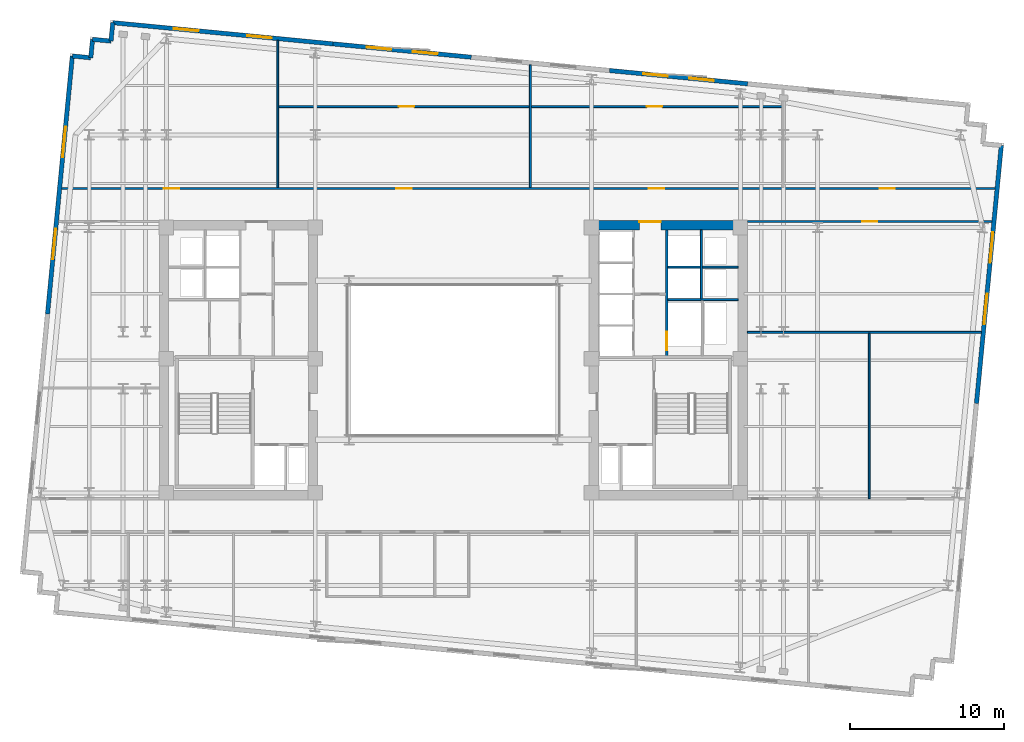
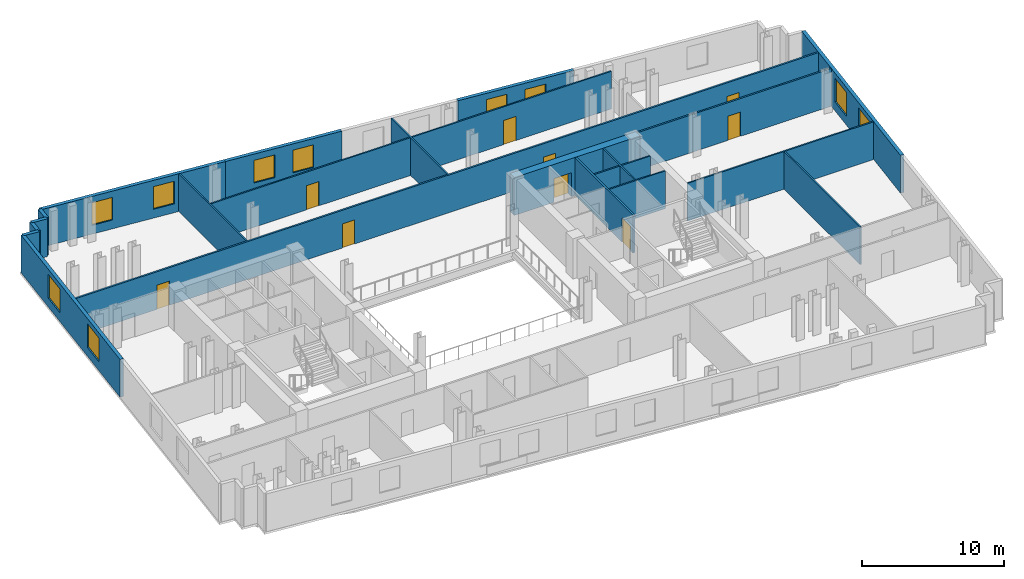
# One storey, part 6 of 9: 22 walls, 10 windows, 9 doors, 19 openings.
"""IFC4 building model written with IfcOpenShell, lengths in metres."""

from ifc_helpers import new_model, si_unit, direction, frame, frame_2d, origin, place, context, subcontext, project, spatial, rectangle, extrude, material, layer, layer_set, type_object, element, fill, save


model = new_model("IFC4")

# Units and contexts
model_context = context("Model", 3, precision=1e-05, world=origin(), true_north=direction((0.0, 1.0)))
body_context = subcontext(model_context, "Body", "Model", "MODEL_VIEW")
ifc_project = project(units=[si_unit("LENGTHUNIT", "METRE"), si_unit("AREAUNIT", "SQUARE_METRE"), si_unit("VOLUMEUNIT", "CUBIC_METRE"), si_unit("PLANEANGLEUNIT", "RADIAN"), si_unit("MASSUNIT", "GRAM", prefix="KILO")], contexts=[model_context])

# Site, building, storey
site_placement = place(None, origin())
site = spatial("IfcSite", under=ifc_project, at=site_placement, CompositionType="ELEMENT")
building_placement = place(site_placement, origin())
building = spatial("IfcBuilding", under=site, at=building_placement, Name="Velakula Bourse", CompositionType="ELEMENT")
storey_placement = place(building_placement, frame((0.0, 0.0, 181.10009765625)))
storey = spatial("IfcBuildingStorey", under=building, at=storey_placement, Name="L49", CompositionType="ELEMENT", Elevation=181.10009765625)

# Wall, opening, door
ifc_material_1 = material(Name="Concrete M70 (fck 70 MPa)", Category="concrete")
ifc_layer_1 = layer(ifc_material_1, 0.60009765625, Name="Concrete M70 (fck 70 MPa)", Category="concrete")
ifc_layer_set_1 = layer_set([ifc_layer_1], Name="Concrete M70 (fck 70 MPa)")
wall_type_1 = type_object("IfcWallType", Name="WL-CORE-600", PredefinedType="SHEAR", material=ifc_layer_set_1)
wall_1_placement = place(storey_placement, frame((8.800048828125, 8.75, 0.0), z_axis=(0.0, 0.0, 1.0), x_axis=(1.0, 0.0, 0.0)))
wall_1 = element("IfcWall", 1, at=wall_1_placement, inside=storey, type_object=wall_type_1, Name="L49 Core E Shear Wall N", PredefinedType="SHEAR", context=body_context, shape_type="SweptSolid", body=[
    extrude(rectangle(XDim=10.25, YDim=0.60009765625, at=frame_2d((5.125, 0.0))), origin(), (0.0, 0.0, 1.0), 3.27001953125),
])
opening_1_placement = place(wall_1_placement, frame((3.25, 0.0, 0.0)))
opening_1 = element("IfcOpeningElement", 2, at=opening_1_placement, cuts=wall_1, Name="Opening D-LLE", PredefinedType="OPENING", context=body_context, shape_type="SweptSolid", body=[
    extrude(rectangle(XDim=1.39990234375, YDim=2.050048828125, at=frame_2d((0.699951171875, 1.02490234375))), frame((0.0, 0.31005859375, 0.0), z_axis=(0.0, -1.0, 0.0), x_axis=(1.0, 0.0, 0.0)), (0.0, 0.0, 1.0), 0.6201171875),
])
ifc_material_2 = material(Name="Fire-rated hardwood flush architectural door", Category="wood")
door_type_1 = type_object("IfcDoorType", Name="DR-DBL-FD60-1400", OperationType="DOUBLE_DOOR_SINGLE_SWING", PredefinedType="DOOR", material=ifc_material_2)
door_1_placement = place(opening_1_placement, origin())
door_1 = element("IfcDoor", 3, at=door_1_placement, inside=storey, type_object=door_type_1, Name="L49 Core E Lift Lobby Corridor Double Door", OperationType="DOUBLE_DOOR_SINGLE_SWING", OverallHeight=2.050048828125, OverallWidth=1.39990234375, PredefinedType="DOOR", context=body_context, shape_type="SweptSolid", body=[
    extrude(rectangle(XDim=1.39990234375, YDim=2.050048828125, at=frame_2d((0.699951171875, 1.02490234375))), frame((0.0, 0.2451171875, 0.0), z_axis=(0.0, -1.0, 0.0), x_axis=(1.0, 0.0, 0.0)), (0.0, 0.0, 1.0), 0.050048828125),
])
fill(opening_1, door_1)

# Wall, openings, windows
ifc_material_3 = material(Name="Red kilned clay facing brick masonry", Category="masonry")
ifc_layer_2 = layer(ifc_material_3, 0.280029296875, Name="Red kilned clay facing brick masonry", Category="masonry")
ifc_layer_set_2 = layer_set([ifc_layer_2], Name="Red kilned clay facing brick masonry")
wall_type_2 = type_object("IfcWallType", Name="WL-EXT-BRK-280", PredefinedType="STANDARD", material=ifc_layer_set_2)
wall_2_placement = place(storey_placement, frame((-22.072509765625, 21.8701171875, 0.0), z_axis=(0.0, 0.0, 1.0), x_axis=(0.995395606285, -0.095851901334, 0.0)))
wall_2 = element("IfcWall", 4, at=wall_2_placement, inside=storey, type_object=wall_type_2, Name="L49 N Brick Spandrel Wall B1", PredefinedType="STANDARD", context=body_context, shape_type="SweptSolid", body=[
    extrude(rectangle(XDim=14.33984375, YDim=0.280029296875, at=frame_2d((7.169921875, 0.0))), origin(), (0.0, 0.0, 1.0), 3.25),
])
opening_2_placement = place(wall_2_placement, frame((3.97998046875, 0.0, 0.760009765625)))
opening_2 = element("IfcOpeningElement", 5, at=opening_2_placement, cuts=wall_2, Name="Opening W-02", PredefinedType="OPENING", context=body_context, shape_type="SweptSolid", body=[
    extrude(rectangle(XDim=1.60009765625, YDim=1.949951171875, at=frame_2d((0.800048828125, 0.97509765625))), frame((0.0, 0.14990234375, 0.0), z_axis=(0.0, -1.0, 0.0), x_axis=(1.0, 0.0, 0.0)), (0.0, 0.0, 1.0), 0.300048828125),
])
opening_3_placement = place(wall_2_placement, frame((8.760009765625, 0.0, 0.760009765625)))
opening_3 = element("IfcOpeningElement", 6, at=opening_3_placement, cuts=wall_2, Name="Opening W-02", PredefinedType="OPENING", context=body_context, shape_type="SweptSolid", body=[
    extrude(rectangle(XDim=1.60009765625, YDim=1.949951171875, at=frame_2d((0.800048828125, 0.97509765625))), frame((0.0, 0.14990234375, 0.0), z_axis=(0.0, -1.0, 0.0), x_axis=(1.0, 0.0, 0.0)), (0.0, 0.0, 1.0), 0.300048828125),
])
ifc_material_4 = material(Name="Double-glazed solar-control Low-E glass", Category="glass")
window_type_1 = type_object("IfcWindowType", Name="WIN-TWR-1600x2100", PartitioningType="SINGLE_PANEL", PredefinedType="WINDOW", material=ifc_material_4)
window_1_placement = place(opening_2_placement, origin())
window_1 = element("IfcWindow", 7, at=window_1_placement, inside=storey, type_object=window_type_1, Name="L49 Deep-Set Recessed Window 1", OverallHeight=1.949951171875, OverallWidth=1.60009765625, PartitioningType="SINGLE_PANEL", PredefinedType="WINDOW", context=body_context, shape_type="SweptSolid", body=[
    extrude(rectangle(XDim=1.60009765625, YDim=1.949951171875, at=frame_2d((0.800048828125, 0.97509765625))), frame((0.0, 0.030029296875, 0.0), z_axis=(0.0, -1.0, 0.0), x_axis=(1.0, 0.0, 0.0)), (0.0, 0.0, 1.0), 0.06005859375),
])
fill(opening_2, window_1)
window_2_placement = place(opening_3_placement, origin())
window_2 = element("IfcWindow", 8, at=window_2_placement, inside=storey, type_object=window_type_1, Name="L49 Deep-Set Recessed Window 2", OverallHeight=1.949951171875, OverallWidth=1.60009765625, PartitioningType="SINGLE_PANEL", PredefinedType="WINDOW", context=body_context, shape_type="SweptSolid", body=[
    extrude(rectangle(XDim=1.60009765625, YDim=1.949951171875, at=frame_2d((0.800048828125, 0.97509765625))), frame((0.0, 0.030029296875, 0.0), z_axis=(0.0, -1.0, 0.0), x_axis=(1.0, 0.0, 0.0)), (0.0, 0.0, 1.0), 0.06005859375),
])
fill(opening_3, window_2)

wall_3_placement = place(storey_placement, frame((-7.798583984375, 20.49560546875, 0.0), z_axis=(0.0, 0.0, 1.0), x_axis=(0.995396794462, -0.09583956164, 0.0)))
wall_3 = element("IfcWall", 9, at=wall_3_placement, inside=storey, type_object=wall_type_2, Name="L49 N Brick Spandrel Wall B2", PredefinedType="STANDARD", context=body_context, shape_type="SweptSolid", body=[
    extrude(rectangle(XDim=9.0, YDim=0.280029296875, at=frame_2d((4.5, 0.0))), origin(), (0.0, 0.0, 1.0), 3.25),
])
opening_4_placement = place(wall_3_placement, frame((2.199951171875, 0.0, 0.760009765625)))
opening_4 = element("IfcOpeningElement", 10, at=opening_4_placement, cuts=wall_3, Name="Opening W-02", PredefinedType="OPENING", context=body_context, shape_type="SweptSolid", body=[
    extrude(rectangle(XDim=1.60009765625, YDim=1.949951171875, at=frame_2d((0.800048828125, 0.97509765625))), frame((0.0, 0.14990234375, 0.0), z_axis=(0.0, -1.0, 0.0), x_axis=(1.0, 0.0, 0.0)), (0.0, 0.0, 1.0), 0.300048828125),
])
opening_5_placement = place(wall_3_placement, frame((5.199951171875, 0.0, 0.760009765625)))
opening_5 = element("IfcOpeningElement", 11, at=opening_5_placement, cuts=wall_3, Name="Opening W-02", PredefinedType="OPENING", context=body_context, shape_type="SweptSolid", body=[
    extrude(rectangle(XDim=1.60009765625, YDim=1.949951171875, at=frame_2d((0.800048828125, 0.97509765625))), frame((0.0, 0.14990234375, 0.0), z_axis=(0.0, -1.0, 0.0), x_axis=(1.0, 0.0, 0.0)), (0.0, 0.0, 1.0), 0.300048828125),
])
window_3_placement = place(opening_4_placement, origin())
window_3 = element("IfcWindow", 12, at=window_3_placement, inside=storey, type_object=window_type_1, Name="L49 Deep-Set Recessed Window 1", OverallHeight=1.949951171875, OverallWidth=1.60009765625, PartitioningType="SINGLE_PANEL", PredefinedType="WINDOW", context=body_context, shape_type="SweptSolid", body=[
    extrude(rectangle(XDim=1.60009765625, YDim=1.949951171875, at=frame_2d((0.800048828125, 0.97509765625))), frame((0.0, 0.030029296875, 0.0), z_axis=(0.0, -1.0, 0.0), x_axis=(1.0, 0.0, 0.0)), (0.0, 0.0, 1.0), 0.06005859375),
])
fill(opening_4, window_3)
window_4_placement = place(opening_5_placement, origin())
window_4 = element("IfcWindow", 13, at=window_4_placement, inside=storey, type_object=window_type_1, Name="L49 Deep-Set Recessed Window 2", OverallHeight=1.949951171875, OverallWidth=1.60009765625, PartitioningType="SINGLE_PANEL", PredefinedType="WINDOW", context=body_context, shape_type="SweptSolid", body=[
    extrude(rectangle(XDim=1.60009765625, YDim=1.949951171875, at=frame_2d((0.800048828125, 0.97509765625))), frame((0.0, 0.030029296875, 0.0), z_axis=(0.0, -1.0, 0.0), x_axis=(1.0, 0.0, 0.0)), (0.0, 0.0, 1.0), 0.06005859375),
])
fill(opening_5, window_4)

wall_4_placement = place(storey_placement, frame((10.11865234375, 18.770263671875, 0.0), z_axis=(0.0, 0.0, 1.0), x_axis=(0.995396794462, -0.09583956164, 0.0)))
wall_4 = element("IfcWall", 14, at=wall_4_placement, inside=storey, type_object=wall_type_2, Name="L49 N Brick Spandrel Wall B4", PredefinedType="STANDARD", context=body_context, shape_type="SweptSolid", body=[
    extrude(rectangle(XDim=9.0, YDim=0.280029296875, at=frame_2d((4.5, 0.0))), origin(), (0.0, 0.0, 1.0), 3.25),
])
opening_6_placement = place(wall_4_placement, frame((2.199951171875, 0.0, 0.760009765625)))
opening_6 = element("IfcOpeningElement", 15, at=opening_6_placement, cuts=wall_4, Name="Opening W-02", PredefinedType="OPENING", context=body_context, shape_type="SweptSolid", body=[
    extrude(rectangle(XDim=1.60009765625, YDim=1.949951171875, at=frame_2d((0.800048828125, 0.97509765625))), frame((0.0, 0.14990234375, 0.0), z_axis=(0.0, -1.0, 0.0), x_axis=(1.0, 0.0, 0.0)), (0.0, 0.0, 1.0), 0.300048828125),
])
opening_7_placement = place(wall_4_placement, frame((5.199951171875, 0.0, 0.760009765625)))
opening_7 = element("IfcOpeningElement", 16, at=opening_7_placement, cuts=wall_4, Name="Opening W-02", PredefinedType="OPENING", context=body_context, shape_type="SweptSolid", body=[
    extrude(rectangle(XDim=1.60009765625, YDim=1.949951171875, at=frame_2d((0.800048828125, 0.97509765625))), frame((0.0, 0.14990234375, 0.0), z_axis=(0.0, -1.0, 0.0), x_axis=(1.0, 0.0, 0.0)), (0.0, 0.0, 1.0), 0.300048828125),
])
window_5_placement = place(opening_6_placement, origin())
window_5 = element("IfcWindow", 17, at=window_5_placement, inside=storey, type_object=window_type_1, Name="L49 Deep-Set Recessed Window 1", OverallHeight=1.949951171875, OverallWidth=1.60009765625, PartitioningType="SINGLE_PANEL", PredefinedType="WINDOW", context=body_context, shape_type="SweptSolid", body=[
    extrude(rectangle(XDim=1.60009765625, YDim=1.949951171875, at=frame_2d((0.800048828125, 0.97509765625))), frame((0.0, 0.030029296875, 0.0), z_axis=(0.0, -1.0, 0.0), x_axis=(1.0, 0.0, 0.0)), (0.0, 0.0, 1.0), 0.06005859375),
])
fill(opening_6, window_5)
window_6_placement = place(opening_7_placement, origin())
window_6 = element("IfcWindow", 18, at=window_6_placement, inside=storey, type_object=window_type_1, Name="L49 Deep-Set Recessed Window 2", OverallHeight=1.949951171875, OverallWidth=1.60009765625, PartitioningType="SINGLE_PANEL", PredefinedType="WINDOW", context=body_context, shape_type="SweptSolid", body=[
    extrude(rectangle(XDim=1.60009765625, YDim=1.949951171875, at=frame_2d((0.800048828125, 0.97509765625))), frame((0.0, 0.030029296875, 0.0), z_axis=(0.0, -1.0, 0.0), x_axis=(1.0, 0.0, 0.0)), (0.0, 0.0, 1.0), 0.06005859375),
])
fill(opening_7, window_6)

wall_5_placement = place(storey_placement, frame((-26.30078125, 2.998291015625, 0.0), z_axis=(0.0, 0.0, 1.0), x_axis=(0.095837640115, 0.99539697947, 0.0)))
wall_5 = element("IfcWall", 19, at=wall_5_placement, inside=storey, type_object=wall_type_2, Name="L49 W Brick End Wall W2", PredefinedType="STANDARD", context=body_context, shape_type="SweptSolid", body=[
    extrude(rectangle(XDim=16.790283203125, YDim=0.280029296875, at=frame_2d((8.39501953125, 0.0))), origin(), (0.0, 0.0, 1.0), 3.25),
])
opening_8_placement = place(wall_5_placement, frame((3.546630859375, 0.0, 0.760009765625)))
opening_8 = element("IfcOpeningElement", 20, at=opening_8_placement, cuts=wall_5, Name="Opening W-05", PredefinedType="OPENING", context=body_context, shape_type="SweptSolid", body=[
    extrude(rectangle(XDim=2.0, YDim=2.050048828125, at=frame_2d((1.0, 1.02490234375))), frame((0.0, 0.14990234375, 0.0), z_axis=(0.0, -1.0, 0.0), x_axis=(1.0, 0.0, 0.0)), (0.0, 0.0, 1.0), 0.300048828125),
])
opening_9_placement = place(wall_5_placement, frame((10.193359375, 0.0, 0.760009765625)))
opening_9 = element("IfcOpeningElement", 21, at=opening_9_placement, cuts=wall_5, Name="Opening W-05", PredefinedType="OPENING", context=body_context, shape_type="SweptSolid", body=[
    extrude(rectangle(XDim=2.0, YDim=2.050048828125, at=frame_2d((1.0, 1.02490234375))), frame((0.0, 0.14990234375, 0.0), z_axis=(0.0, -1.0, 0.0), x_axis=(1.0, 0.0, 0.0)), (0.0, 0.0, 1.0), 0.300048828125),
])
window_type_2 = type_object("IfcWindowType", Name="WIN-TWR-2000x2200", PartitioningType="DOUBLE_PANEL_VERTICAL", PredefinedType="WINDOW", material=ifc_material_4)
window_7_placement = place(opening_8_placement, origin())
window_7 = element("IfcWindow", 22, at=window_7_placement, inside=storey, type_object=window_type_2, Name="L49 Deep-Set Recessed Window 1", OverallHeight=2.050048828125, OverallWidth=2.0, PartitioningType="DOUBLE_PANEL_VERTICAL", PredefinedType="WINDOW", context=body_context, shape_type="SweptSolid", body=[
    extrude(rectangle(XDim=2.0, YDim=2.050048828125, at=frame_2d((1.0, 1.02490234375))), frame((0.0, 0.030029296875, 0.0), z_axis=(0.0, -1.0, 0.0), x_axis=(1.0, 0.0, 0.0)), (0.0, 0.0, 1.0), 0.06005859375),
])
fill(opening_8, window_7)
window_8_placement = place(opening_9_placement, origin())
window_8 = element("IfcWindow", 23, at=window_8_placement, inside=storey, type_object=window_type_2, Name="L49 Deep-Set Recessed Window 2", OverallHeight=2.050048828125, OverallWidth=2.0, PartitioningType="DOUBLE_PANEL_VERTICAL", PredefinedType="WINDOW", context=body_context, shape_type="SweptSolid", body=[
    extrude(rectangle(XDim=2.0, YDim=2.050048828125, at=frame_2d((1.0, 1.02490234375))), frame((0.0, 0.030029296875, 0.0), z_axis=(0.0, -1.0, 0.0), x_axis=(1.0, 0.0, 0.0)), (0.0, 0.0, 1.0), 0.06005859375),
])
fill(opening_9, window_8)

wall_6_placement = place(storey_placement, frame((35.510009765625, 13.914306640625, 0.0), z_axis=(0.0, 0.0, 1.0), x_axis=(-0.095839027265, -0.995396845913, 0.0)))
wall_6 = element("IfcWall", 24, at=wall_6_placement, inside=storey, type_object=wall_type_2, Name="L49 E Brick End Wall W2", PredefinedType="STANDARD", context=body_context, shape_type="SweptSolid", body=[
    extrude(rectangle(XDim=16.7900390625, YDim=0.280029296875, at=frame_2d((8.39501953125, 0.0))), origin(), (0.0, 0.0, 1.0), 3.25),
])
opening_10_placement = place(wall_6_placement, frame((5.646728515625, 0.0, 0.760009765625)))
opening_10 = element("IfcOpeningElement", 25, at=opening_10_placement, cuts=wall_6, Name="Opening W-05", PredefinedType="OPENING", context=body_context, shape_type="SweptSolid", body=[
    extrude(rectangle(XDim=2.0, YDim=2.050048828125, at=frame_2d((1.0, 1.02490234375))), frame((0.0, 0.14990234375, 0.0), z_axis=(0.0, -1.0, 0.0), x_axis=(1.0, 0.0, 0.0)), (0.0, 0.0, 1.0), 0.300048828125),
])
opening_11_placement = place(wall_6_placement, frame((9.643310546875, 0.0, 0.760009765625)))
opening_11 = element("IfcOpeningElement", 26, at=opening_11_placement, cuts=wall_6, Name="Opening W-05", PredefinedType="OPENING", context=body_context, shape_type="SweptSolid", body=[
    extrude(rectangle(XDim=2.0, YDim=2.050048828125, at=frame_2d((1.0, 1.02490234375))), frame((0.0, 0.14990234375, 0.0), z_axis=(0.0, -1.0, 0.0), x_axis=(1.0, 0.0, 0.0)), (0.0, 0.0, 1.0), 0.300048828125),
])
window_9_placement = place(opening_10_placement, origin())
window_9 = element("IfcWindow", 27, at=window_9_placement, inside=storey, type_object=window_type_2, Name="L49 Deep-Set Recessed Window 1", OverallHeight=2.050048828125, OverallWidth=2.0, PartitioningType="DOUBLE_PANEL_VERTICAL", PredefinedType="WINDOW", context=body_context, shape_type="SweptSolid", body=[
    extrude(rectangle(XDim=2.0, YDim=2.050048828125, at=frame_2d((1.0, 1.02490234375))), frame((0.0, 0.030029296875, 0.0), z_axis=(0.0, -1.0, 0.0), x_axis=(1.0, 0.0, 0.0)), (0.0, 0.0, 1.0), 0.06005859375),
])
fill(opening_10, window_9)
window_10_placement = place(opening_11_placement, origin())
window_10 = element("IfcWindow", 28, at=window_10_placement, inside=storey, type_object=window_type_2, Name="L49 Deep-Set Recessed Window 2", OverallHeight=2.050048828125, OverallWidth=2.0, PartitioningType="DOUBLE_PANEL_VERTICAL", PredefinedType="WINDOW", context=body_context, shape_type="SweptSolid", body=[
    extrude(rectangle(XDim=2.0, YDim=2.050048828125, at=frame_2d((1.0, 1.02490234375))), frame((0.0, 0.030029296875, 0.0), z_axis=(0.0, -1.0, 0.0), x_axis=(1.0, 0.0, 0.0)), (0.0, 0.0, 1.0), 0.06005859375),
])
fill(opening_11, window_10)

# Walls
for number, where, z_axis, x_axis, name in (
    (29, (-22.072509765625, 21.8701171875, 0.0), (0.0, 0.0, 1.0), (-0.095817067274, -0.995398960025, 0.0), "L49 Serrated Corner Brick Wall NW-1"),
    (30, (-22.1875, 20.675537109375, 0.0), (0.0, 0.0, 1.0), (-0.995398960025, 0.095817067274, 0.0), "L49 Serrated Corner Brick Wall NW-2"),
    (31, (-23.382080078125, 20.79052734375, 0.0), (0.0, 0.0, 1.0), (-0.095817067274, -0.995398960025, 0.0), "L49 Serrated Corner Brick Wall NW-3"),
    (32, (-23.4970703125, 19.595947265625, 0.0), (0.0, 0.0, 1.0), (-0.995379537303, 0.096018626938, 0.0), "L49 Serrated Corner Brick Wall NW-4"),
):
    element("IfcWall", number, at=place(storey_placement, frame(where, z_axis=z_axis, x_axis=x_axis)), inside=storey, type_object=wall_type_2, Name=name, PredefinedType="STANDARD", context=body_context, shape_type="SweptSolid", body=[
        extrude(rectangle(XDim=1.2001953125, YDim=0.280029296875, at=frame_2d((0.60009765625, 0.0))), origin(), (0.0, 0.0, 1.0), 3.25),
    ])
ifc_material_5 = material(Name="Fire-rated double-layer gypsum drywall partition", Category="gypsum")
ifc_layer_3 = layer(ifc_material_5, 0.1201171875, Name="Fire-rated double-layer gypsum drywall partition", Category="gypsum")
ifc_layer_set_3 = layer_set([ifc_layer_3], Name="Fire-rated double-layer gypsum drywall partition")
wall_type_3 = type_object("IfcWallType", Name="WL-PART-120", PredefinedType="STANDARD", material=ifc_layer_set_3)
wall_7_placement = place(storey_placement, frame((13.89990234375, 3.919921875, 0.0), z_axis=(0.0, 0.0, 1.0), x_axis=(1.0, 0.0, 0.0)))
element("IfcWall", 33, at=wall_7_placement, inside=storey, type_object=wall_type_3, Name="L49 Interior Partition WL-CRE-L49-HI-S", PredefinedType="STANDARD", context=body_context, shape_type="SweptSolid", body=[
    extrude(rectangle(XDim=4.550048828125, YDim=0.1201171875, at=frame_2d((2.27490234375, 0.0))), origin(), (0.0, 0.0, 1.0), 3.25),
])
wall_8_placement = place(storey_placement, frame((16.14990234375, 6.030029296875, 0.0), z_axis=(0.0, 0.0, 1.0), x_axis=(1.0, 0.0, 0.0)))
element("IfcWall", 34, at=wall_8_placement, inside=storey, type_object=wall_type_3, Name="L49 Interior Partition WL-CRE-L49-RIS-MID", PredefinedType="STANDARD", context=body_context, shape_type="SweptSolid", body=[
    extrude(rectangle(XDim=2.300048828125, YDim=0.1201171875, at=frame_2d((1.14990234375, 0.0))), origin(), (0.0, 0.0, 1.0), 3.25),
])
wall_9_placement = place(storey_placement, frame((16.074951171875, 3.97998046875, 0.0), z_axis=(0.0, 0.0, 1.0), x_axis=(0.0, 1.0, 0.0)))
element("IfcWall", 35, at=wall_9_placement, inside=storey, type_object=wall_type_3, Name="L49 Interior Partition WL-CRE-L49-RIS-F", PredefinedType="STANDARD", context=body_context, shape_type="SweptSolid", body=[
    extrude(rectangle(XDim=4.469970703125, YDim=0.1201171875, at=frame_2d((2.23486328125, 0.0))), origin(), (0.0, 0.0, 1.0), 3.25),
])
wall_10_placement = place(storey_placement, frame((13.89990234375, 6.030029296875, 0.0), z_axis=(0.0, 0.0, 1.0), x_axis=(1.0, 0.0, 0.0)))
element("IfcWall", 36, at=wall_10_placement, inside=storey, type_object=wall_type_3, Name="L49 Interior Partition WL-CRE-L49-HI-DIV", PredefinedType="STANDARD", context=body_context, shape_type="SweptSolid", body=[
    extrude(rectangle(XDim=2.10009765625, YDim=0.1201171875, at=frame_2d((1.050048828125, 0.0))), origin(), (0.0, 0.0, 1.0), 3.25),
])
wall_11_placement = place(storey_placement, frame((-11.383056640625, 11.18994140625, 0.0), z_axis=(0.0, 0.0, 1.0), x_axis=(0.0, 1.0, 0.0)))
element("IfcWall", 37, at=wall_11_placement, inside=storey, type_object=wall_type_3, Name="L49 Interior Partition WL-INT-L49-N-D1", PredefinedType="STANDARD", context=body_context, shape_type="SweptSolid", body=[
    extrude(rectangle(XDim=9.5302734375, YDim=0.1201171875, at=frame_2d((4.76513671875, 0.0))), origin(), (0.0, 0.0, 1.0), 3.25),
])
wall_12_placement = place(storey_placement, frame((4.990966796875, 11.18994140625, 0.0), z_axis=(0.0, 0.0, 1.0), x_axis=(0.0, 1.0, 0.0)))
element("IfcWall", 38, at=wall_12_placement, inside=storey, type_object=wall_type_3, Name="L49 Interior Partition WL-INT-L49-N-D2", PredefinedType="STANDARD", context=body_context, shape_type="SweptSolid", body=[
    extrude(rectangle(XDim=7.95361328125, YDim=0.1201171875, at=frame_2d((3.976806640625, 0.0))), origin(), (0.0, 0.0, 1.0), 3.25),
])

# Wall, openings, doors
wall_13_placement = place(storey_placement, frame((-11.322998046875, 16.431884765625, 0.0), z_axis=(0.0, 0.0, 1.0), x_axis=(1.0, 0.0, 0.0)))
wall_13 = element("IfcWall", 39, at=wall_13_placement, inside=storey, type_object=wall_type_3, Name="L49 Interior Partition WL-INT-L49-N-MID", PredefinedType="STANDARD", context=body_context, shape_type="SweptSolid", body=[
    extrude(rectangle(XDim=32.6279296875, YDim=0.1201171875, at=frame_2d((16.31396484375, 0.0))), origin(), (0.0, 0.0, 1.0), 3.25),
])
opening_12_placement = place(wall_13_placement, frame((7.7841796875, 0.0, 0.0)))
opening_12 = element("IfcOpeningElement", 40, at=opening_12_placement, cuts=wall_13, Name="Opening D-OF1", PredefinedType="OPENING", context=body_context, shape_type="SweptSolid", body=[
    extrude(rectangle(XDim=1.0, YDim=2.080078125, at=frame_2d((0.5, 1.0400390625))), frame((0.0, 0.070068359375, 0.0), z_axis=(0.0, -1.0, 0.0), x_axis=(1.0, 0.0, 0.0)), (0.0, 0.0, 1.0), 0.14013671875),
])
opening_13_placement = place(wall_13_placement, frame((23.843994140625, 0.0, 0.0)))
opening_13 = element("IfcOpeningElement", 41, at=opening_13_placement, cuts=wall_13, Name="Opening D-OF1", PredefinedType="OPENING", context=body_context, shape_type="SweptSolid", body=[
    extrude(rectangle(XDim=1.0, YDim=2.080078125, at=frame_2d((0.5, 1.0400390625))), frame((0.0, 0.070068359375, 0.0), z_axis=(0.0, -1.0, 0.0), x_axis=(1.0, 0.0, 0.0)), (0.0, 0.0, 1.0), 0.14013671875),
])
door_type_2 = type_object("IfcDoorType", Name="DR-OFF-1000", OperationType="NOTDEFINED", PredefinedType="DOOR", material=ifc_material_2)
door_2_placement = place(opening_12_placement, origin())
door_2 = element("IfcDoor", 42, at=door_2_placement, inside=storey, type_object=door_type_2, Name="L49 Risk Review Boardroom Door", OperationType="SINGLE_SWING_LEFT", OverallHeight=2.080078125, OverallWidth=1.0, PredefinedType="DOOR", context=body_context, shape_type="SweptSolid", body=[
    extrude(rectangle(XDim=1.0, YDim=2.080078125, at=frame_2d((0.5, 1.0400390625))), frame((0.0, 0.02490234375, 0.0), z_axis=(0.0, -1.0, 0.0), x_axis=(1.0, 0.0, 0.0)), (0.0, 0.0, 1.0), 0.050048828125),
])
fill(opening_12, door_2)
door_3_placement = place(opening_13_placement, origin())
door_3 = element("IfcDoor", 43, at=door_3_placement, inside=storey, type_object=door_type_2, Name="L49 Catering Servery Pantry Door", OperationType="SINGLE_SWING_LEFT", OverallHeight=2.080078125, OverallWidth=1.0, PredefinedType="DOOR", context=body_context, shape_type="SweptSolid", body=[
    extrude(rectangle(XDim=1.0, YDim=2.080078125, at=frame_2d((0.5, 1.0400390625))), frame((0.0, 0.02490234375, 0.0), z_axis=(0.0, -1.0, 0.0), x_axis=(1.0, 0.0, 0.0)), (0.0, 0.0, 1.0), 0.050048828125),
])
fill(opening_13, door_3)

# Walls
wall_14_placement = place(storey_placement, frame((19.050048828125, 1.800048828125, 0.0), z_axis=(0.0, 0.0, 1.0), x_axis=(1.0, 0.0, 0.0)))
element("IfcWall", 44, at=wall_14_placement, inside=storey, type_object=wall_type_3, Name="L49 Interior Partition WL-INT-L49-E-H", PredefinedType="STANDARD", context=body_context, shape_type="SweptSolid", body=[
    extrude(rectangle(XDim=15.1728515625, YDim=0.1201171875, at=frame_2d((7.58642578125, 0.0))), origin(), (0.0, 0.0, 1.0), 3.25),
])
wall_15_placement = place(storey_placement, frame((26.951904296875, -8.97998046875, 0.0), z_axis=(0.0, 0.0, 1.0), x_axis=(0.0, 1.0, 0.0)))
element("IfcWall", 45, at=wall_15_placement, inside=storey, type_object=wall_type_3, Name="L49 Interior Partition WL-INT-L49-E-VS", PredefinedType="STANDARD", context=body_context, shape_type="SweptSolid", body=[
    extrude(rectangle(XDim=10.719970703125, YDim=0.1201171875, at=frame_2d((5.35986328125, 0.0))), origin(), (0.0, 0.0, 1.0), 3.25),
])

# Wall, openings, doors
ifc_layer_4 = layer(ifc_material_5, 0.139892578125, Name="Fire-rated double-layer gypsum drywall partition", Category="gypsum")
ifc_layer_set_4 = layer_set([ifc_layer_4], Name="Fire-rated double-layer gypsum drywall partition")
wall_type_4 = type_object("IfcWallType", Name="WL-PART-140", PredefinedType="STANDARD", material=ifc_layer_set_4)
wall_16_placement = place(storey_placement, frame((-25.398193359375, 11.1201171875, 0.0), z_axis=(0.0, 0.0, 1.0), x_axis=(1.0, 0.0, 0.0)))
wall_16 = element("IfcWall", 46, at=wall_16_placement, inside=storey, type_object=wall_type_4, Name="L49 Interior Partition WL-INT-L49-N-CORR", PredefinedType="STANDARD", context=body_context, shape_type="SweptSolid", body=[
    extrude(rectangle(XDim=60.5185546875, YDim=0.139892578125, at=frame_2d((30.25927734375, 0.0))), origin(), (0.0, 0.0, 1.0), 3.25),
])
opening_14_placement = place(wall_16_placement, frame((6.633544921875, 0.0, 0.0)))
opening_14 = element("IfcOpeningElement", 47, at=opening_14_placement, cuts=wall_16, Name="Opening D-OF1", PredefinedType="OPENING", context=body_context, shape_type="SweptSolid", body=[
    extrude(rectangle(XDim=1.0, YDim=2.080078125, at=frame_2d((0.5, 1.0400390625))), frame((0.0, 0.079833984375, 0.0), z_axis=(0.0, -1.0, 0.0), x_axis=(1.0, 0.0, 0.0)), (0.0, 0.0, 1.0), 0.159912109375),
])
opening_15_placement = place(wall_16_placement, frame((21.7021484375, 0.0, 0.0)))
opening_15 = element("IfcOpeningElement", 48, at=opening_15_placement, cuts=wall_16, Name="Opening D-OF1", PredefinedType="OPENING", context=body_context, shape_type="SweptSolid", body=[
    extrude(rectangle(XDim=1.0, YDim=2.080078125, at=frame_2d((0.5, 1.0400390625))), frame((0.0, 0.079833984375, 0.0), z_axis=(0.0, -1.0, 0.0), x_axis=(1.0, 0.0, 0.0)), (0.0, 0.0, 1.0), 0.159912109375),
])
opening_16_placement = place(wall_16_placement, frame((38.076171875, 0.0, 0.0)))
opening_16 = element("IfcOpeningElement", 49, at=opening_16_placement, cuts=wall_16, Name="Opening D-OF1", PredefinedType="OPENING", context=body_context, shape_type="SweptSolid", body=[
    extrude(rectangle(XDim=1.0, YDim=2.080078125, at=frame_2d((0.5, 1.0400390625))), frame((0.0, 0.079833984375, 0.0), z_axis=(0.0, -1.0, 0.0), x_axis=(1.0, 0.0, 0.0)), (0.0, 0.0, 1.0), 0.159912109375),
])
opening_17_placement = place(wall_16_placement, frame((53.014892578125, 0.0, 0.0)))
opening_17 = element("IfcOpeningElement", 50, at=opening_17_placement, cuts=wall_16, Name="Opening D-OF1", PredefinedType="OPENING", context=body_context, shape_type="SweptSolid", body=[
    extrude(rectangle(XDim=1.0, YDim=2.080078125, at=frame_2d((0.5, 1.0400390625))), frame((0.0, 0.079833984375, 0.0), z_axis=(0.0, -1.0, 0.0), x_axis=(1.0, 0.0, 0.0)), (0.0, 0.0, 1.0), 0.159912109375),
])
door_4_placement = place(opening_14_placement, origin())
door_4 = element("IfcDoor", 51, at=door_4_placement, inside=storey, type_object=door_type_2, Name="L49 FX Spot Dealing Workspace Door", OperationType="SINGLE_SWING_LEFT", OverallHeight=2.080078125, OverallWidth=1.0, PredefinedType="DOOR", context=body_context, shape_type="SweptSolid", body=[
    extrude(rectangle(XDim=1.0, YDim=2.080078125, at=frame_2d((0.5, 1.0400390625))), frame((0.0, 0.02490234375, 0.0), z_axis=(0.0, -1.0, 0.0), x_axis=(1.0, 0.0, 0.0)), (0.0, 0.0, 1.0), 0.050048828125),
])
fill(opening_14, door_4)
door_5_placement = place(opening_15_placement, origin())
door_5 = element("IfcDoor", 52, at=door_5_placement, inside=storey, type_object=door_type_2, Name="L49 Risk Review Boardroom Door", OperationType="SINGLE_SWING_RIGHT", OverallHeight=2.080078125, OverallWidth=1.0, PredefinedType="DOOR", context=body_context, shape_type="SweptSolid", body=[
    extrude(rectangle(XDim=1.0, YDim=2.080078125, at=frame_2d((0.5, 1.0400390625))), frame((0.0, 0.02490234375, 0.0), z_axis=(0.0, -1.0, 0.0), x_axis=(1.0, 0.0, 0.0)), (0.0, 0.0, 1.0), 0.050048828125),
])
fill(opening_15, door_5)
door_6_placement = place(opening_16_placement, origin())
door_6 = element("IfcDoor", 53, at=door_6_placement, inside=storey, type_object=door_type_2, Name="L49 Listing Committee Chamber Door", OperationType="SINGLE_SWING_RIGHT", OverallHeight=2.080078125, OverallWidth=1.0, PredefinedType="DOOR", context=body_context, shape_type="SweptSolid", body=[
    extrude(rectangle(XDim=1.0, YDim=2.080078125, at=frame_2d((0.5, 1.0400390625))), frame((0.0, 0.02490234375, 0.0), z_axis=(0.0, -1.0, 0.0), x_axis=(1.0, 0.0, 0.0)), (0.0, 0.0, 1.0), 0.050048828125),
])
fill(opening_16, door_6)
door_7_placement = place(opening_17_placement, origin())
door_7 = element("IfcDoor", 54, at=door_7_placement, inside=storey, type_object=door_type_2, Name="L49 Economic Reference Library Door", OperationType="SINGLE_SWING_RIGHT", OverallHeight=2.080078125, OverallWidth=1.0, PredefinedType="DOOR", context=body_context, shape_type="SweptSolid", body=[
    extrude(rectangle(XDim=1.0, YDim=2.080078125, at=frame_2d((0.5, 1.0400390625))), frame((0.0, 0.02490234375, 0.0), z_axis=(0.0, -1.0, 0.0), x_axis=(1.0, 0.0, 0.0)), (0.0, 0.0, 1.0), 0.050048828125),
])
fill(opening_17, door_7)

# Wall, opening, door
wall_17_placement = place(storey_placement, frame((19.050048828125, 8.97998046875, 0.0), z_axis=(0.0, 0.0, 1.0), x_axis=(1.0, 0.0, 0.0)))
wall_17 = element("IfcWall", 55, at=wall_17_placement, inside=storey, type_object=wall_type_4, Name="L49 Interior Partition WL-INT-L49-E-NC", PredefinedType="STANDARD", context=body_context, shape_type="SweptSolid", body=[
    extrude(rectangle(XDim=15.8642578125, YDim=0.139892578125, at=frame_2d((7.93212890625, 0.0))), origin(), (0.0, 0.0, 1.0), 3.25),
])
opening_18_placement = place(wall_17_placement, frame((7.43212890625, 0.0, 0.0)))
opening_18 = element("IfcOpeningElement", 56, at=opening_18_placement, cuts=wall_17, Name="Opening D-OF1", PredefinedType="OPENING", context=body_context, shape_type="SweptSolid", body=[
    extrude(rectangle(XDim=1.0, YDim=2.080078125, at=frame_2d((0.5, 1.0400390625))), frame((0.0, 0.079833984375, 0.0), z_axis=(0.0, -1.0, 0.0), x_axis=(1.0, 0.0, 0.0)), (0.0, 0.0, 1.0), 0.159912109375),
])
door_8_placement = place(opening_18_placement, origin())
door_8 = element("IfcDoor", 57, at=door_8_placement, inside=storey, type_object=door_type_2, Name="L49 Primary Dealer Office Door", OperationType="SINGLE_SWING_RIGHT", OverallHeight=2.080078125, OverallWidth=1.0, PredefinedType="DOOR", context=body_context, shape_type="SweptSolid", body=[
    extrude(rectangle(XDim=1.0, YDim=2.080078125, at=frame_2d((0.5, 1.0400390625))), frame((0.0, 0.02490234375, 0.0), z_axis=(0.0, -1.0, 0.0), x_axis=(1.0, 0.0, 0.0)), (0.0, 0.0, 1.0), 0.050048828125),
])
fill(opening_18, door_8)

ifc_material_6 = material(Name="Autoclaved aerated concrete blockwork masonry", Category="masonry")
ifc_layer_5 = layer(ifc_material_6, 0.14990234375, Name="Autoclaved aerated concrete blockwork masonry", Category="masonry")
ifc_layer_set_5 = layer_set([ifc_layer_5], Name="Autoclaved aerated concrete blockwork masonry")
wall_type_5 = type_object("IfcWallType", Name="WL-SHAFT-150", PredefinedType="STANDARD", material=ifc_layer_set_5)
wall_18_placement = place(storey_placement, frame((13.824951171875, 0.27001953125, 0.0), z_axis=(0.0, 0.0, 1.0), x_axis=(0.0, 1.0, 0.0)))
wall_18 = element("IfcWall", 58, at=wall_18_placement, inside=storey, type_object=wall_type_5, Name="L49 Interior Partition WL-CRE-L49-OUT-F", PredefinedType="STANDARD", context=body_context, shape_type="SweptSolid", body=[
    extrude(rectangle(XDim=8.179931640625, YDim=0.14990234375, at=frame_2d((4.08984375, 0.0))), origin(), (0.0, 0.0, 1.0), 3.25),
])
opening_19_placement = place(wall_18_placement, frame((0.3798828125, 0.0, 0.0)))
opening_19 = element("IfcOpeningElement", 59, at=opening_19_placement, cuts=wall_18, Name="Opening LD-SVL1", PredefinedType="OPENING", context=body_context, shape_type="SweptSolid", body=[
    extrude(rectangle(XDim=1.199951171875, YDim=2.10009765625, at=frame_2d((0.60009765625, 1.050048828125))), frame((0.0, 0.0849609375, 0.0), z_axis=(0.0, -1.0, 0.0), x_axis=(1.0, 0.0, 0.0)), (0.0, 0.0, 1.0), 0.169921875),
])
ifc_material_7 = material(Name="Brushed grade 316 stainless steel", Category="steel")
door_type_3 = type_object("IfcDoorType", Name="DR-SLIDE-LD-1200", OperationType="DOUBLE_DOOR_SLIDING", PredefinedType="DOOR", material=ifc_material_7)
door_9_placement = place(opening_19_placement, origin())
door_9 = element("IfcDoor", 60, at=door_9_placement, inside=storey, type_object=door_type_3, Name="L49 Service Lift SVL-1 Sliding Landing Door", OperationType="DOUBLE_DOOR_SLIDING", OverallHeight=2.10009765625, OverallWidth=1.199951171875, PredefinedType="DOOR", context=body_context, shape_type="SweptSolid", body=[
    extrude(rectangle(XDim=1.199951171875, YDim=2.10009765625, at=frame_2d((0.60009765625, 1.050048828125))), frame((0.0, 0.02490234375, 0.0), z_axis=(0.0, -1.0, 0.0), x_axis=(1.0, 0.0, 0.0)), (0.0, 0.0, 1.0), 0.050048828125),
])
fill(opening_19, door_9)

save(model, "model.ifc")
